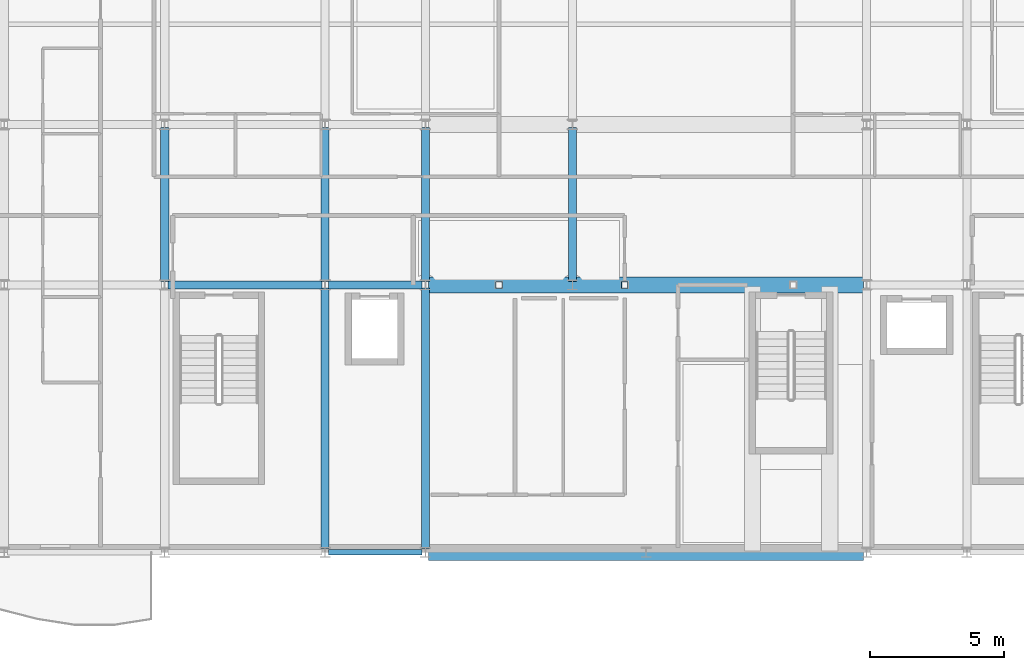
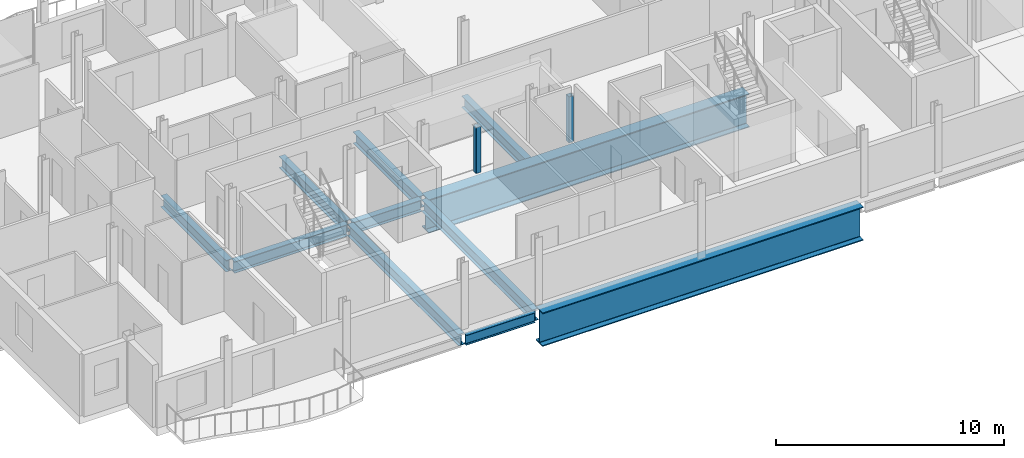
# One storey, part 5 of 35: 11 beams, 2 members.
"""IFC4 building model written with IfcOpenShell, lengths in metres."""

from ifc_helpers import new_model, si_unit, direction, frame, origin, origin_2d, place, context, subcontext, project, spatial, hollow_rectangle, i_section, extrude, material, material_profile, profile_set, type_object, element, save


model = new_model("IFC4")

# Units and contexts
model_context = context("Model", 3, precision=1e-05, world=origin(), true_north=direction((0.0, 1.0)))
body_context = subcontext(model_context, "Body", "Model", "MODEL_VIEW")
ifc_project = project(units=[si_unit("LENGTHUNIT", "METRE"), si_unit("AREAUNIT", "SQUARE_METRE"), si_unit("VOLUMEUNIT", "CUBIC_METRE"), si_unit("PLANEANGLEUNIT", "RADIAN"), si_unit("MASSUNIT", "GRAM", prefix="KILO")], contexts=[model_context])

# Site, building, storey
site_placement = place(None, origin())
site = spatial("IfcSite", under=ifc_project, at=site_placement, CompositionType="ELEMENT")
building_placement = place(site_placement, origin())
building = spatial("IfcBuilding", under=site, at=building_placement, Name="Brevholm Reach", CompositionType="ELEMENT")
storey_placement = place(building_placement, frame((0.0, 0.0, 214.39990234375)))
storey = spatial("IfcBuildingStorey", under=building, at=storey_placement, Name="L65", CompositionType="ELEMENT", Elevation=214.39990234375)

# Beams
ifc_material_1 = material(Name="Structural Steel S460ML", Category="steel")
ifc_material_profile_1 = material_profile(ifc_material_1, i_section(OverallWidth=0.60009765625, OverallDepth=1.800048828125, WebThickness=0.034912109375, FlangeThickness=0.050048828125, FilletRadius=0.02392578125, at=origin_2d()), Name="PG 1800x600x50")
ifc_profile_set_1 = profile_set([ifc_material_profile_1], Name="Structural Steel S460ML")
beam_type_1 = type_object("IfcBeamType", Name="BM-PG1800", PredefinedType="USERDEFINED", material=ifc_profile_set_1)
for number, where, z_axis, x_axis, name in (
    (1, (21.8701171875, 0.0, -1.31982421875), (1.0, 0.0, 0.0), (0.0, 1.0, 0.0), "L65 TG-01 Framing Beam"),
    (2, (21.8701171875, 10.0, -1.31982421875), (1.0, 0.0, 0.0), (0.0, 1.0, 0.0), "L65 TG-01 Framing Beam"),
):
    element("IfcBeam", number, at=place(storey_placement, frame(where, z_axis=z_axis, x_axis=x_axis)), inside=storey, type_object=beam_type_1, Name=name, ObjectType="GIRDER", PredefinedType="USERDEFINED", context=body_context, shape_type="SweptSolid", body=[
        extrude(i_section(OverallWidth=0.60009765625, OverallDepth=1.800048828125, WebThickness=0.034912109375, FlangeThickness=0.050048828125, FilletRadius=0.02392578125, at=origin_2d()), origin(), (0.0, 0.0, 1.0), 16.259765625),
    ])
ifc_material_2 = material(Name="Structural Steel S355J2", Category="steel")
ifc_material_profile_2 = material_profile(ifc_material_2, i_section(OverallWidth=0.210693359375, OverallDepth=0.53955078125, WebThickness=0.01171875, FlangeThickness=0.018798828125, FilletRadius=0.0126953125, at=origin_2d()), Name="UKB 533x210x109")
ifc_profile_set_2 = profile_set([ifc_material_profile_2], Name="Structural Steel S355J2")
beam_type_2 = type_object("IfcBeamType", Name="BM-SP539", PredefinedType="SPANDREL", material=ifc_profile_set_2)
beam_1_placement = place(storey_placement, frame((18.1201171875, 0.0, -0.689697265625), z_axis=(1.0, 0.0, 0.0), x_axis=(0.0, 1.0, 0.0)))
element("IfcBeam", 3, at=beam_1_placement, inside=storey, type_object=beam_type_2, Name="L65 SP-01B Framing Beam", PredefinedType="SPANDREL", context=body_context, shape_type="SweptSolid", body=[
    extrude(i_section(OverallWidth=0.210693359375, OverallDepth=0.53955078125, WebThickness=0.01171875, FlangeThickness=0.018798828125, FilletRadius=0.0126953125, at=origin_2d()), origin(), (0.0, 0.0, 1.0), 3.509765625),
])
ifc_material_3 = material(Name="Structural Steel S355J2", Category="steel")
ifc_material_profile_3 = material_profile(ifc_material_3, i_section(OverallWidth=0.30712890625, OverallDepth=0.6201171875, WebThickness=0.01416015625, FlangeThickness=0.023681640625, FilletRadius=0.0166015625, at=origin_2d()), Name="UKB 610x305x179")
ifc_profile_set_3 = profile_set([ifc_material_profile_3], Name="Structural Steel S355J2")
beam_type_3 = type_object("IfcBeamType", Name="BM-UKB610H", PredefinedType="USERDEFINED", material=ifc_profile_set_3)
beam_2_placement = place(storey_placement, frame((12.1201171875, 10.0, -0.72998046875), z_axis=(1.0, 0.0, 0.0), x_axis=(0.0, 1.0, 0.0)))
element("IfcBeam", 4, at=beam_2_placement, inside=storey, type_object=beam_type_3, Name="L65 G-06 Framing Beam", ObjectType="GIRDER", PredefinedType="USERDEFINED", context=body_context, shape_type="SweptSolid", body=[
    extrude(i_section(OverallWidth=0.30712890625, OverallDepth=0.6201171875, WebThickness=0.01416015625, FlangeThickness=0.023681640625, FilletRadius=0.0166015625, at=origin_2d()), origin(), (0.0, 0.0, 1.0), 5.759765625),
])
beam_3_placement = place(storey_placement, frame((18.1201171875, 10.0, -0.72998046875), z_axis=(1.0, 0.0, 0.0), x_axis=(0.0, 1.0, 0.0)))
element("IfcBeam", 5, at=beam_3_placement, inside=storey, type_object=beam_type_3, Name="L65 G-06 Framing Beam", ObjectType="GIRDER", PredefinedType="USERDEFINED", context=body_context, shape_type="SweptSolid", body=[
    extrude(i_section(OverallWidth=0.30712890625, OverallDepth=0.6201171875, WebThickness=0.01416015625, FlangeThickness=0.023681640625, FilletRadius=0.0166015625, at=origin_2d()), origin(), (0.0, 0.0, 1.0), 3.509765625),
])
beam_4_placement = place(storey_placement, frame((12.0, 10.1201171875, -0.72998046875), z_axis=(0.0, 1.0, 0.0), x_axis=(-1.0, 0.0, 0.0)))
element("IfcBeam", 6, at=beam_4_placement, inside=storey, type_object=beam_type_3, Name="L65 G-06 Framing Beam", ObjectType="GIRDER", PredefinedType="USERDEFINED", context=body_context, shape_type="SweptSolid", body=[
    extrude(i_section(OverallWidth=0.30712890625, OverallDepth=0.6201171875, WebThickness=0.01416015625, FlangeThickness=0.023681640625, FilletRadius=0.0166015625, at=origin_2d()), origin(), (0.0, 0.0, 1.0), 5.759765625),
])
beam_5_placement = place(storey_placement, frame((18.0, 0.1201171875, -0.72998046875), z_axis=(0.0, 1.0, 0.0), x_axis=(-1.0, 0.0, 0.0)))
element("IfcBeam", 7, at=beam_5_placement, inside=storey, type_object=beam_type_3, Name="L65 G-06 Framing Beam", ObjectType="GIRDER", PredefinedType="USERDEFINED", context=body_context, shape_type="SweptSolid", body=[
    extrude(i_section(OverallWidth=0.30712890625, OverallDepth=0.6201171875, WebThickness=0.01416015625, FlangeThickness=0.023681640625, FilletRadius=0.0166015625, at=origin_2d()), origin(), (0.0, 0.0, 1.0), 9.759765625),
])
beam_6_placement = place(storey_placement, frame((18.0, 10.1201171875, -0.72998046875), z_axis=(0.0, 1.0, 0.0), x_axis=(-1.0, 0.0, 0.0)))
element("IfcBeam", 8, at=beam_6_placement, inside=storey, type_object=beam_type_3, Name="L65 G-06 Framing Beam", ObjectType="GIRDER", PredefinedType="USERDEFINED", context=body_context, shape_type="SweptSolid", body=[
    extrude(i_section(OverallWidth=0.30712890625, OverallDepth=0.6201171875, WebThickness=0.01416015625, FlangeThickness=0.023681640625, FilletRadius=0.0166015625, at=origin_2d()), origin(), (0.0, 0.0, 1.0), 5.759765625),
])
beam_7_placement = place(storey_placement, frame((21.75, 0.1201171875, -0.72998046875), z_axis=(0.0, 1.0, 0.0), x_axis=(-1.0, 0.0, 0.0)))
element("IfcBeam", 9, at=beam_7_placement, inside=storey, type_object=beam_type_3, Name="L65 G-06 Framing Beam", ObjectType="GIRDER", PredefinedType="USERDEFINED", context=body_context, shape_type="SweptSolid", body=[
    extrude(i_section(OverallWidth=0.30712890625, OverallDepth=0.6201171875, WebThickness=0.01416015625, FlangeThickness=0.023681640625, FilletRadius=0.0166015625, at=origin_2d()), origin(), (0.0, 0.0, 1.0), 9.759765625),
])
for number, where, z_axis, x_axis, name in (
    (10, (21.75, 10.1201171875, -0.72998046875), (0.0, 1.0, 0.0), (-1.0, 0.0, 0.0), "L65 G-06 Framing Beam"),
    (11, (27.25, 10.1201171875, -0.72998046875), (0.0, 1.0, 0.0), (-1.0, 0.0, 0.0), "L65 G-06 Framing Beam"),
):
    element("IfcBeam", number, at=place(storey_placement, frame(where, z_axis=z_axis, x_axis=x_axis)), inside=storey, type_object=beam_type_3, Name=name, ObjectType="GIRDER", PredefinedType="USERDEFINED", context=body_context, shape_type="SweptSolid", body=[
        extrude(i_section(OverallWidth=0.30712890625, OverallDepth=0.6201171875, WebThickness=0.01416015625, FlangeThickness=0.023681640625, FilletRadius=0.0166015625, at=origin_2d()), origin(), (0.0, 0.0, 1.0), 5.759765625),
    ])

# Members
ifc_material_4 = material(Name="Structural Steel S355J2H", Category="steel")
ifc_material_profile_4 = material_profile(ifc_material_4, hollow_rectangle(XDim=0.25, YDim=0.25, WallThickness=0.010009765625, InnerFilletRadius=0.010009765625, OuterFilletRadius=0.02001953125, at=origin_2d()), Name="SHS 250x250x10")
ifc_profile_set_4 = profile_set([ifc_material_profile_4], Name="Structural Steel S355J2H")
member_type = type_object("IfcMemberType", Name="MEM-ST-SHS250", PredefinedType="STRUT", material=ifc_profile_set_4)
for number, where, z_axis, x_axis, name in (
    (12, (24.5, 10.0, 0.0), (0.0, 0.0, 1.0), (1.0, 0.0, 0.0), "L65 Portal Vierendeel Post 1"),
    (13, (29.199951171875, 10.0, 0.0), (0.0, 0.0, 1.0), (1.0, 0.0, 0.0), "L65 Portal Vierendeel Post 2"),
):
    element("IfcMember", number, at=place(storey_placement, frame(where, z_axis=z_axis, x_axis=x_axis)), inside=storey, type_object=member_type, Name=name, PredefinedType="STRUT", context=body_context, shape_type="SweptSolid", body=[
        extrude(hollow_rectangle(XDim=0.25, YDim=0.25, WallThickness=0.010009765625, InnerFilletRadius=0.010009765625, OuterFilletRadius=0.02001953125, at=origin_2d()), origin(), (0.0, 0.0, 1.0), 2.464111328125),
    ])

save(model, "model.ifc")
